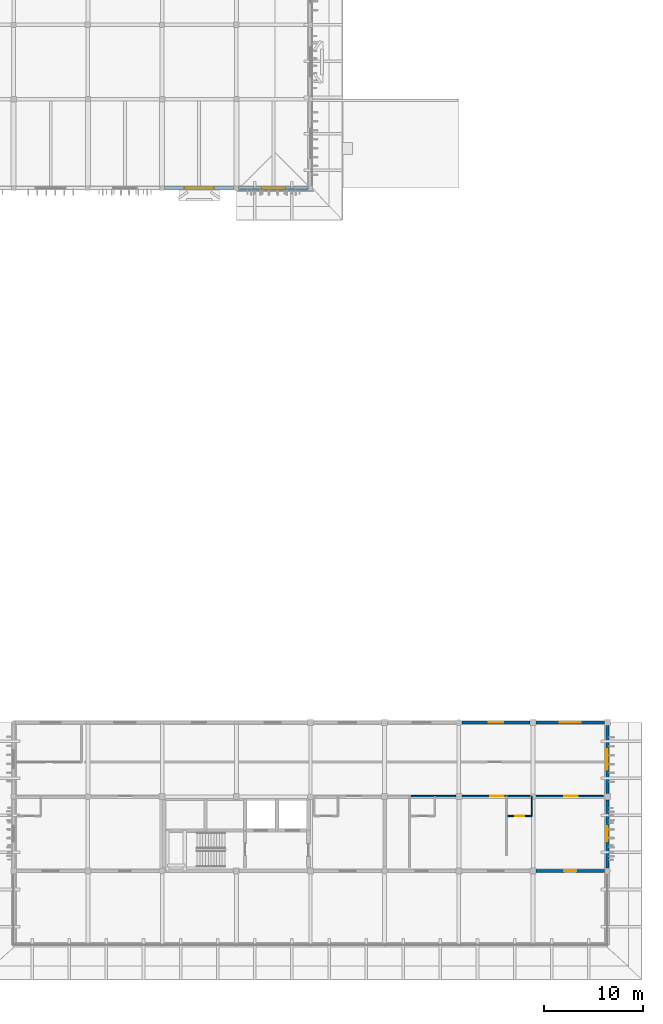
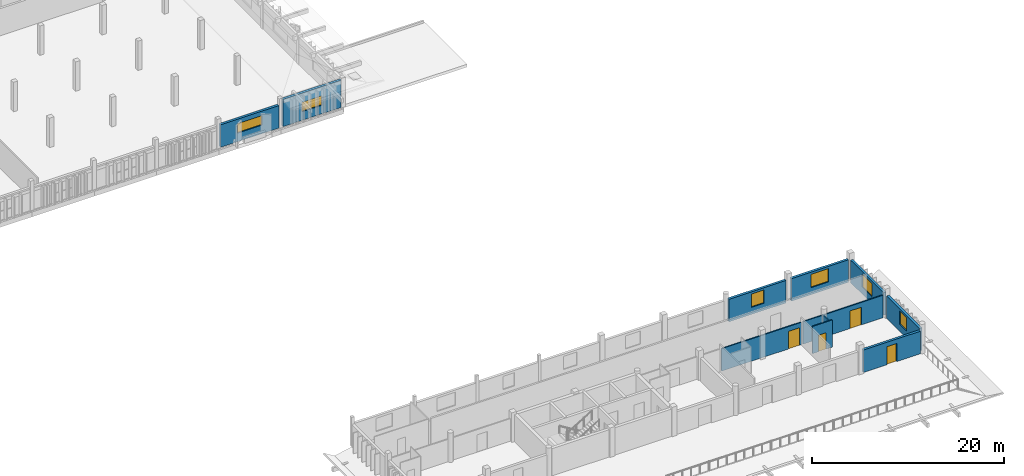
# One storey, part 25 of 43: 11 walls, 6 windows, 4 doors, 10 openings.
"""IFC4 building model written with IfcOpenShell, lengths in metres."""

from ifc_helpers import new_model, si_unit, direction, frame, frame_2d, origin, place, context, subcontext, project, spatial, rectangle, extrude, material, layer, layer_set, type_object, element, fill, save


model = new_model("IFC4")

# Units and contexts
model_context = context("Model", 3, precision=1e-05, world=origin(), true_north=direction((0.0, 1.0)))
body_context = subcontext(model_context, "Body", "Model", "MODEL_VIEW")
ifc_project = project(units=[si_unit("LENGTHUNIT", "METRE"), si_unit("AREAUNIT", "SQUARE_METRE"), si_unit("VOLUMEUNIT", "CUBIC_METRE"), si_unit("PLANEANGLEUNIT", "RADIAN"), si_unit("MASSUNIT", "GRAM", prefix="KILO")], contexts=[model_context])

# Site, building, storey
site_placement = place(None, origin())
site = spatial("IfcSite", under=ifc_project, at=site_placement, CompositionType="ELEMENT")
building_placement = place(site_placement, origin())
building = spatial("IfcBuilding", under=site, at=building_placement, Name="Dalvernix Boulevard General Hospital", CompositionType="ELEMENT")
storey_placement = place(building_placement, frame((0.0, 0.0, 14.10009765625)))
storey = spatial("IfcBuildingStorey", under=building, at=storey_placement, Name="L03", CompositionType="ELEMENT", Elevation=14.10009765625)

# Wall, opening, window
ifc_material_1 = material(Name="Pressed Catalan clay brick and ceramic spandrel wall C35/45", Category="masonry")
ifc_layer_1 = layer(ifc_material_1, 0.300048828125)
ifc_layer_set_1 = layer_set([ifc_layer_1], Name="Pressed Catalan clay brick and ceramic spandrel wall C35/45 (WAL-EW-02)")
wall_type_1 = type_object("IfcWallType", Name="WAL-EW-02", PredefinedType="STANDARD", material=ifc_layer_set_1)
wall_1_placement = place(storey_placement, frame((134.764892578125, 76.5, 0.0), z_axis=(0.0, 0.0, 1.0), x_axis=(-1.0, 0.0, 0.0)))
wall_1 = element("IfcWall", 1, at=wall_1_placement, inside=storey, type_object=wall_type_1, Name="L03 Catalan brick external wall S 17-10", PredefinedType="STANDARD", context=body_context, shape_type="SweptSolid", body=[
    extrude(rectangle(XDim=7.02978515625, YDim=0.300048828125, at=frame_2d((3.514892578125, 0.0))), origin(), (0.0, 0.0, 1.0), 2.869873046875),
])
opening_1_placement = place(wall_1_placement, frame((2.014892578125, 0.0, 1.10009765625)))
opening_1 = element("IfcOpeningElement", 2, at=opening_1_placement, cuts=wall_1, Name="Opening WN-18", PredefinedType="OPENING", context=body_context, shape_type="SweptSolid", body=[
    extrude(rectangle(XDim=3.0, YDim=1.199951171875, at=frame_2d((1.5, 0.60009765625))), frame((0.0, 0.159912109375, 0.0), z_axis=(0.0, -1.0, 0.0), x_axis=(1.0, 0.0, 0.0)), (0.0, 0.0, 1.0), 0.320068359375),
])
ifc_material_2 = material(Name="Thermally broken aluminium frame with solar-control double glazing", Category="aluminium")
window_type_1 = type_object("IfcWindowType", Name="WIN-WN-18", PartitioningType="SINGLE_PANEL", PredefinedType="WINDOW", material=ifc_material_2)
window_1_placement = place(opening_1_placement, origin())
window_1 = element("IfcWindow", 3, at=window_1_placement, inside=storey, type_object=window_type_1, Name="L03 clinical window WN-18 S 17-10", OverallHeight=1.199951171875, OverallWidth=3.0, PartitioningType="SINGLE_PANEL", PredefinedType="WINDOW", context=body_context, shape_type="SweptSolid", body=[
    extrude(rectangle(XDim=3.0, YDim=1.199951171875, at=frame_2d((1.5, 0.60009765625))), frame((0.0, 0.030029296875, 0.0), z_axis=(0.0, -1.0, 0.0), x_axis=(1.0, 0.0, 0.0)), (0.0, 0.0, 1.0), 0.06005859375),
])
fill(opening_1, window_1)

wall_2_placement = place(storey_placement, frame((142.264892578125, 76.5, 0.0), z_axis=(0.0, 0.0, 1.0), x_axis=(-1.0, 0.0, 0.0)))
wall_2 = element("IfcWall", 4, at=wall_2_placement, inside=storey, type_object=wall_type_1, Name="L03 Catalan brick external wall S 18-10", PredefinedType="STANDARD", context=body_context, shape_type="SweptSolid", body=[
    extrude(rectangle(XDim=7.02978515625, YDim=0.300048828125, at=frame_2d((3.514892578125, 0.0))), origin(), (0.0, 0.0, 1.0), 3.469970703125),
])
opening_2_placement = place(wall_2_placement, frame((2.31494140625, 0.0, 1.10009765625)))
opening_2 = element("IfcOpeningElement", 5, at=opening_2_placement, cuts=wall_2, Name="Opening WN-17", PredefinedType="OPENING", context=body_context, shape_type="SweptSolid", body=[
    extrude(rectangle(XDim=2.39990234375, YDim=1.199951171875, at=frame_2d((1.199951171875, 0.60009765625))), frame((0.0, 0.159912109375, 0.0), z_axis=(0.0, -1.0, 0.0), x_axis=(1.0, 0.0, 0.0)), (0.0, 0.0, 1.0), 0.320068359375),
])
window_type_2 = type_object("IfcWindowType", Name="WIN-WN-17", PartitioningType="SINGLE_PANEL", PredefinedType="WINDOW", material=ifc_material_2)
window_2_placement = place(opening_2_placement, origin())
window_2 = element("IfcWindow", 6, at=window_2_placement, inside=storey, type_object=window_type_2, Name="L03 clinical window WN-17 S 18-10", OverallHeight=1.199951171875, OverallWidth=2.39990234375, PartitioningType="SINGLE_PANEL", PredefinedType="WINDOW", context=body_context, shape_type="SweptSolid", body=[
    extrude(rectangle(XDim=2.39990234375, YDim=1.199951171875, at=frame_2d((1.199951171875, 0.60009765625))), frame((0.0, 0.030029296875, 0.0), z_axis=(0.0, -1.0, 0.0), x_axis=(1.0, 0.0, 0.0)), (0.0, 0.0, 1.0), 0.06005859375),
])
fill(opening_2, window_2)

wall_3_placement = place(storey_placement, frame((157.81005859375, 22.5, 0.0), z_axis=(0.0, 0.0, 1.0), x_axis=(1.0, 0.0, 0.0)))
wall_3 = element("IfcWall", 7, at=wall_3_placement, inside=storey, type_object=wall_type_1, Name="L03 Catalan brick external wall N 21-3", PredefinedType="STANDARD", context=body_context, shape_type="SweptSolid", body=[
    extrude(rectangle(XDim=6.8798828125, YDim=0.300048828125, at=frame_2d((3.43994140625, 0.0))), origin(), (0.0, 0.0, 1.0), 2.869873046875),
])
opening_3_placement = place(wall_3_placement, frame((2.68994140625, 0.0, 0.89990234375)))
opening_3 = element("IfcOpeningElement", 8, at=opening_3_placement, cuts=wall_3, Name="Opening WN-02", PredefinedType="OPENING", context=body_context, shape_type="SweptSolid", body=[
    extrude(rectangle(XDim=1.5, YDim=1.68994140625, at=frame_2d((0.75, 0.844970703125))), frame((0.0, 0.159912109375, 0.0), z_axis=(0.0, -1.0, 0.0), x_axis=(1.0, 0.0, 0.0)), (0.0, 0.0, 1.0), 0.320068359375),
])
window_type_3 = type_object("IfcWindowType", Name="WIN-WN-02", PartitioningType="SINGLE_PANEL", PredefinedType="WINDOW", material=ifc_material_2)
window_3_placement = place(opening_3_placement, origin())
window_3 = element("IfcWindow", 9, at=window_3_placement, inside=storey, type_object=window_type_3, Name="L03 clinical window WN-02 N 21-3", OverallHeight=1.68994140625, OverallWidth=1.5, PartitioningType="SINGLE_PANEL", PredefinedType="WINDOW", context=body_context, shape_type="SweptSolid", body=[
    extrude(rectangle(XDim=1.5, YDim=1.68994140625, at=frame_2d((0.75, 0.844970703125))), frame((0.0, 0.030029296875, 0.0), z_axis=(0.0, -1.0, 0.0), x_axis=(1.0, 0.0, 0.0)), (0.0, 0.0, 1.0), 0.06005859375),
])
fill(opening_3, window_3)

# Wall, opening, door
wall_4_placement = place(storey_placement, frame((172.18994140625, 7.5, 0.0), z_axis=(0.0, 0.0, 1.0), x_axis=(-1.0, 0.0, 0.0)))
wall_4 = element("IfcWall", 10, at=wall_4_placement, inside=storey, type_object=wall_type_1, Name="L03 Catalan brick external wall S 22-1", PredefinedType="STANDARD", context=body_context, shape_type="SweptSolid", body=[
    extrude(rectangle(XDim=6.8798828125, YDim=0.300048828125, at=frame_2d((3.43994140625, 0.0))), origin(), (0.0, 0.0, 1.0), 2.869873046875),
])
opening_4_placement = place(wall_4_placement, frame((2.840087890625, 0.0, 0.0)))
opening_4 = element("IfcOpeningElement", 11, at=opening_4_placement, cuts=wall_4, Name="Opening TD-12", PredefinedType="OPENING", context=body_context, shape_type="SweptSolid", body=[
    extrude(rectangle(XDim=1.199951171875, YDim=2.300048828125, at=frame_2d((0.60009765625, 1.14990234375))), frame((0.0, 0.159912109375, 0.0), z_axis=(0.0, -1.0, 0.0), x_axis=(1.0, 0.0, 0.0)), (0.0, 0.0, 1.0), 0.320068359375),
])
ifc_material_3 = material(Name="Powder-coated aluminium and laminated safety glass", Category="aluminium")
door_type_1 = type_object("IfcDoorType", Name="DR-TD-12", OperationType="NOTDEFINED", PredefinedType="DOOR", material=ifc_material_3)
door_1_placement = place(opening_4_placement, origin())
door_1 = element("IfcDoor", 12, at=door_1_placement, inside=storey, type_object=door_type_1, Name="L03 ward terrace access door S 22-1", OperationType="SINGLE_SWING_LEFT", OverallHeight=2.300048828125, OverallWidth=1.199951171875, PredefinedType="DOOR", context=body_context, shape_type="SweptSolid", body=[
    extrude(rectangle(XDim=1.199951171875, YDim=2.300048828125, at=frame_2d((0.60009765625, 1.14990234375))), frame((0.0, 0.02490234375, 0.0), z_axis=(0.0, -1.0, 0.0), x_axis=(1.0, 0.0, 0.0)), (0.0, 0.0, 1.0), 0.050048828125),
])
fill(opening_4, door_1)

# Wall, opening, window
wall_5_placement = place(storey_placement, frame((172.5, 14.68994140625, 0.0), z_axis=(0.0, 0.0, 1.0), x_axis=(0.0, -1.0, 0.0)))
wall_5 = element("IfcWall", 13, at=wall_5_placement, inside=storey, type_object=wall_type_1, Name="L03 Catalan brick external wall E 23-1", PredefinedType="STANDARD", context=body_context, shape_type="SweptSolid", body=[
    extrude(rectangle(XDim=6.8798828125, YDim=0.300048828125, at=frame_2d((3.43994140625, 0.0))), origin(), (0.0, 0.0, 1.0), 2.869873046875),
])
opening_5_placement = place(wall_5_placement, frame((2.68994140625, 0.0, 0.89990234375)))
opening_5 = element("IfcOpeningElement", 14, at=opening_5_placement, cuts=wall_5, Name="Opening WN-02", PredefinedType="OPENING", context=body_context, shape_type="SweptSolid", body=[
    extrude(rectangle(XDim=1.5, YDim=1.68994140625, at=frame_2d((0.75, 0.844970703125))), frame((0.0, 0.159912109375, 0.0), z_axis=(0.0, -1.0, 0.0), x_axis=(1.0, 0.0, 0.0)), (0.0, 0.0, 1.0), 0.320068359375),
])
window_4_placement = place(opening_5_placement, origin())
window_4 = element("IfcWindow", 15, at=window_4_placement, inside=storey, type_object=window_type_3, Name="L03 clinical window WN-02 E 23-1", OverallHeight=1.68994140625, OverallWidth=1.5, PartitioningType="SINGLE_PANEL", PredefinedType="WINDOW", context=body_context, shape_type="SweptSolid", body=[
    extrude(rectangle(XDim=1.5, YDim=1.68994140625, at=frame_2d((0.75, 0.844970703125))), frame((0.0, 0.030029296875, 0.0), z_axis=(0.0, -1.0, 0.0), x_axis=(1.0, 0.0, 0.0)), (0.0, 0.0, 1.0), 0.06005859375),
])
fill(opening_5, window_4)

wall_6_placement = place(storey_placement, frame((165.31005859375, 22.5, 0.0), z_axis=(0.0, 0.0, 1.0), x_axis=(1.0, 0.0, 0.0)))
wall_6 = element("IfcWall", 16, at=wall_6_placement, inside=storey, type_object=wall_type_1, Name="L03 Catalan brick external wall N 22-3", PredefinedType="STANDARD", context=body_context, shape_type="SweptSolid", body=[
    extrude(rectangle(XDim=6.8798828125, YDim=0.300048828125, at=frame_2d((3.43994140625, 0.0))), origin(), (0.0, 0.0, 1.0), 2.869873046875),
])
opening_6_placement = place(wall_6_placement, frame((2.389892578125, 0.0, 0.89990234375)))
opening_6 = element("IfcOpeningElement", 17, at=opening_6_placement, cuts=wall_6, Name="Opening WN-03", PredefinedType="OPENING", context=body_context, shape_type="SweptSolid", body=[
    extrude(rectangle(XDim=2.10009765625, YDim=1.68994140625, at=frame_2d((1.050048828125, 0.844970703125))), frame((0.0, 0.159912109375, 0.0), z_axis=(0.0, -1.0, 0.0), x_axis=(1.0, 0.0, 0.0)), (0.0, 0.0, 1.0), 0.320068359375),
])
window_type_4 = type_object("IfcWindowType", Name="WIN-WN-03", PartitioningType="SINGLE_PANEL", PredefinedType="WINDOW", material=ifc_material_2)
window_5_placement = place(opening_6_placement, origin())
window_5 = element("IfcWindow", 18, at=window_5_placement, inside=storey, type_object=window_type_4, Name="L03 clinical window WN-03 N 22-3", OverallHeight=1.68994140625, OverallWidth=2.10009765625, PartitioningType="SINGLE_PANEL", PredefinedType="WINDOW", context=body_context, shape_type="SweptSolid", body=[
    extrude(rectangle(XDim=2.10009765625, YDim=1.68994140625, at=frame_2d((1.050048828125, 0.844970703125))), frame((0.0, 0.030029296875, 0.0), z_axis=(0.0, -1.0, 0.0), x_axis=(1.0, 0.0, 0.0)), (0.0, 0.0, 1.0), 0.06005859375),
])
fill(opening_6, window_5)

wall_7_placement = place(storey_placement, frame((172.5, 22.18994140625, 0.0), z_axis=(0.0, 0.0, 1.0), x_axis=(0.0, -1.0, 0.0)))
wall_7 = element("IfcWall", 19, at=wall_7_placement, inside=storey, type_object=wall_type_1, Name="L03 Catalan brick external wall E 23-2", PredefinedType="STANDARD", context=body_context, shape_type="SweptSolid", body=[
    extrude(rectangle(XDim=6.8798828125, YDim=0.300048828125, at=frame_2d((3.43994140625, 0.0))), origin(), (0.0, 0.0, 1.0), 2.869873046875),
])
opening_7_placement = place(wall_7_placement, frame((2.389892578125, 0.0, 0.89990234375)))
opening_7 = element("IfcOpeningElement", 20, at=opening_7_placement, cuts=wall_7, Name="Opening WN-03", PredefinedType="OPENING", context=body_context, shape_type="SweptSolid", body=[
    extrude(rectangle(XDim=2.10009765625, YDim=1.68994140625, at=frame_2d((1.050048828125, 0.844970703125))), frame((0.0, 0.159912109375, 0.0), z_axis=(0.0, -1.0, 0.0), x_axis=(1.0, 0.0, 0.0)), (0.0, 0.0, 1.0), 0.320068359375),
])
window_6_placement = place(opening_7_placement, origin())
window_6 = element("IfcWindow", 21, at=window_6_placement, inside=storey, type_object=window_type_4, Name="L03 clinical window WN-03 E 23-2", OverallHeight=1.68994140625, OverallWidth=2.10009765625, PartitioningType="SINGLE_PANEL", PredefinedType="WINDOW", context=body_context, shape_type="SweptSolid", body=[
    extrude(rectangle(XDim=2.10009765625, YDim=1.68994140625, at=frame_2d((1.050048828125, 0.844970703125))), frame((0.0, 0.030029296875, 0.0), z_axis=(0.0, -1.0, 0.0), x_axis=(1.0, 0.0, 0.0)), (0.0, 0.0, 1.0), 0.06005859375),
])
fill(opening_7, window_6)

# Wall, opening, door
ifc_material_4 = material(Name="Acoustic double-stud gypsum inpatient partition")
ifc_layer_2 = layer(ifc_material_4, 0.14990234375)
ifc_layer_set_2 = layer_set([ifc_layer_2], Name="Acoustic double-stud gypsum inpatient partition (WAL-IW-04)")
wall_type_2 = type_object("IfcWallType", Name="WAL-IW-04", PredefinedType="PARTITIONING", material=ifc_layer_set_2)
wall_8_placement = place(storey_placement, frame((162.28662109375, 15.050048828125, 0.0), z_axis=(0.0, 0.0, 1.0), x_axis=(-1.0, 0.0, 0.0)))
wall_8 = element("IfcWall", 22, at=wall_8_placement, inside=storey, type_object=wall_type_2, Name="L03 Maternity Postnatal Room 02 corridor wall", PredefinedType="PARTITIONING", context=body_context, shape_type="SweptSolid", body=[
    extrude(rectangle(XDim=9.623291015625, YDim=0.14990234375, at=frame_2d((4.8115234375, 0.0))), origin(), (0.0, 0.0, 1.0), 2.85498046875),
])
opening_8_placement = place(wall_8_placement, frame((0.25, 0.0, 0.0)))
opening_8 = element("IfcOpeningElement", 23, at=opening_8_placement, cuts=wall_8, Name="Opening ID-01", PredefinedType="OPENING", context=body_context, shape_type="SweptSolid", body=[
    extrude(rectangle(XDim=1.35009765625, YDim=2.25, at=frame_2d((0.675048828125, 1.125))), frame((0.0, 0.0849609375, 0.0), z_axis=(0.0, -1.0, 0.0), x_axis=(1.0, 0.0, 0.0)), (0.0, 0.0, 1.0), 0.169921875),
])
ifc_material_5 = material(Name="Hospital laminate acoustic timber and steel frame", Category="steel")
door_type_2 = type_object("IfcDoorType", Name="DR-ID-01", OperationType="NOTDEFINED", PredefinedType="DOOR", material=ifc_material_5)
door_2_placement = place(opening_8_placement, origin())
door_2 = element("IfcDoor", 24, at=door_2_placement, inside=storey, type_object=door_type_2, Name="L03 Maternity Postnatal Room 02 door", OperationType="SINGLE_SWING_RIGHT", OverallHeight=2.25, OverallWidth=1.35009765625, PredefinedType="DOOR", context=body_context, shape_type="SweptSolid", body=[
    extrude(rectangle(XDim=1.35009765625, YDim=2.25, at=frame_2d((0.675048828125, 1.125))), frame((0.0, 0.02490234375, 0.0), z_axis=(0.0, -1.0, 0.0), x_axis=(1.0, 0.0, 0.0)), (0.0, 0.0, 1.0), 0.050048828125),
])
fill(opening_8, door_2)

wall_9_placement = place(storey_placement, frame((172.070068359375, 15.050048828125, 0.0), z_axis=(0.0, 0.0, 1.0), x_axis=(-1.0, 0.0, 0.0)))
wall_9 = element("IfcWall", 25, at=wall_9_placement, inside=storey, type_object=wall_type_2, Name="L03 Maternity Postnatal Room 03 corridor wall", PredefinedType="PARTITIONING", context=body_context, shape_type="SweptSolid", body=[
    extrude(rectangle(XDim=9.623291015625, YDim=0.14990234375, at=frame_2d((4.8115234375, 0.0))), origin(), (0.0, 0.0, 1.0), 2.85498046875),
])
opening_9_placement = place(wall_9_placement, frame((2.58203125, 0.0, 0.0)))
opening_9 = element("IfcOpeningElement", 26, at=opening_9_placement, cuts=wall_9, Name="Opening ID-01", PredefinedType="OPENING", context=body_context, shape_type="SweptSolid", body=[
    extrude(rectangle(XDim=1.35009765625, YDim=2.25, at=frame_2d((0.675048828125, 1.125))), frame((0.0, 0.0849609375, 0.0), z_axis=(0.0, -1.0, 0.0), x_axis=(1.0, 0.0, 0.0)), (0.0, 0.0, 1.0), 0.169921875),
])
door_3_placement = place(opening_9_placement, origin())
door_3 = element("IfcDoor", 27, at=door_3_placement, inside=storey, type_object=door_type_2, Name="L03 Maternity Postnatal Room 03 door", OperationType="SINGLE_SWING_RIGHT", OverallHeight=2.25, OverallWidth=1.35009765625, PredefinedType="DOOR", context=body_context, shape_type="SweptSolid", body=[
    extrude(rectangle(XDim=1.35009765625, YDim=2.25, at=frame_2d((0.675048828125, 1.125))), frame((0.0, 0.02490234375, 0.0), z_axis=(0.0, -1.0, 0.0), x_axis=(1.0, 0.0, 0.0)), (0.0, 0.0, 1.0), 0.050048828125),
])
fill(opening_9, door_3)

ifc_material_6 = material(Name="Moisture-resistant en-suite bathroom partition")
ifc_layer_3 = layer(ifc_material_6, 0.1201171875)
ifc_layer_set_3 = layer_set([ifc_layer_3], Name="Moisture-resistant en-suite bathroom partition (WAL-IW-05)")
wall_type_3 = type_object("IfcWallType", Name="WAL-IW-05", PredefinedType="PARTITIONING", material=ifc_layer_set_3)
wall_10_placement = place(storey_placement, frame((162.44677734375, 13.050048828125, 0.0), z_axis=(0.0, 0.0, 1.0), x_axis=(1.0, 0.0, 0.0)))
wall_10 = element("IfcWall", 28, at=wall_10_placement, inside=storey, type_object=wall_type_3, Name="L03 en-suite bathroom door wall", PredefinedType="PARTITIONING", context=body_context, shape_type="SweptSolid", body=[
    extrude(rectangle(XDim=2.39990234375, YDim=0.1201171875, at=frame_2d((1.199951171875, 0.0))), origin(), (0.0, 0.0, 1.0), 3.454833984375),
])
opening_10_placement = place(wall_10_placement, frame((0.75, 0.0, 0.0)))
opening_10 = element("IfcOpeningElement", 29, at=opening_10_placement, cuts=wall_10, Name="Opening ID-05", PredefinedType="OPENING", context=body_context, shape_type="SweptSolid", body=[
    extrude(rectangle(XDim=0.89990234375, YDim=2.10009765625, at=frame_2d((0.449951171875, 1.050048828125))), frame((0.0, 0.070068359375, 0.0), z_axis=(0.0, -1.0, 0.0), x_axis=(1.0, 0.0, 0.0)), (0.0, 0.0, 1.0), 0.14013671875),
])
door_type_3 = type_object("IfcDoorType", Name="DR-ID-05", OperationType="NOTDEFINED", PredefinedType="DOOR", material=ifc_material_5)
door_4_placement = place(opening_10_placement, origin())
door_4 = element("IfcDoor", 30, at=door_4_placement, inside=storey, type_object=door_type_3, Name="L03 L03-V5-E3 en-suite bathroom door", OperationType="SINGLE_SWING_LEFT", OverallHeight=2.10009765625, OverallWidth=0.89990234375, PredefinedType="DOOR", context=body_context, shape_type="SweptSolid", body=[
    extrude(rectangle(XDim=0.89990234375, YDim=2.10009765625, at=frame_2d((0.449951171875, 1.050048828125))), frame((0.0, 0.02490234375, 0.0), z_axis=(0.0, -1.0, 0.0), x_axis=(1.0, 0.0, 0.0)), (0.0, 0.0, 1.0), 0.050048828125),
])
fill(opening_10, door_4)

# Wall
wall_11_placement = place(storey_placement, frame((164.8466796875, 13.050048828125, 0.0), z_axis=(0.0, 0.0, 1.0), x_axis=(0.0, 1.0, 0.0)))
element("IfcWall", 31, at=wall_11_placement, inside=storey, type_object=wall_type_3, Name="L03 en-suite bathroom side wall", PredefinedType="PARTITIONING", context=body_context, shape_type="SweptSolid", body=[
    extrude(rectangle(XDim=2.0, YDim=0.1201171875, at=frame_2d((1.0, 0.0))), origin(), (0.0, 0.0, 1.0), 2.954833984375),
])

save(model, "model.ifc")
